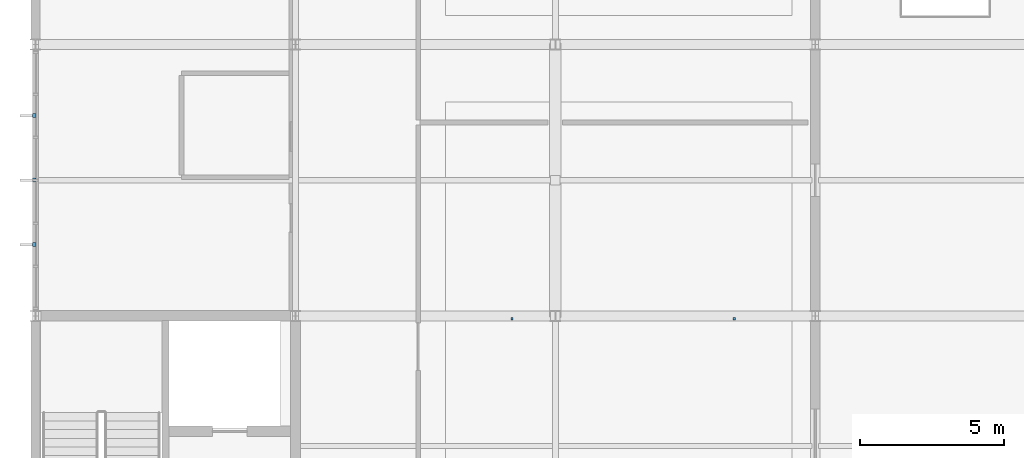
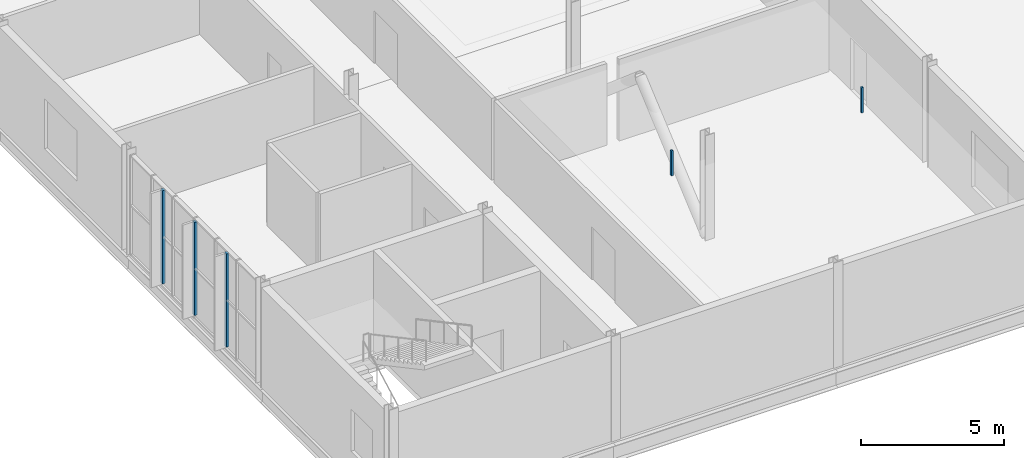
# One storey, part 46 of 53: 5 discrete accessories.
"""IFC4 building model written with IfcOpenShell, lengths in metres."""

from ifc_helpers import new_model, si_unit, direction, frame, origin, origin_2d, place, context, subcontext, project, spatial, rectangle, extrude, material, type_object, element, save


model = new_model("IFC4")

# Units and contexts
model_context = context("Model", 3, precision=1e-05, world=origin(), true_north=direction((0.0, 1.0)))
body_context = subcontext(model_context, "Body", "Model", "MODEL_VIEW")
ifc_project = project(units=[si_unit("LENGTHUNIT", "METRE"), si_unit("AREAUNIT", "SQUARE_METRE"), si_unit("VOLUMEUNIT", "CUBIC_METRE"), si_unit("PLANEANGLEUNIT", "RADIAN"), si_unit("MASSUNIT", "GRAM", prefix="KILO")], contexts=[model_context])

# Site, building, storey
site_placement = place(None, origin())
site = spatial("IfcSite", under=ifc_project, at=site_placement, CompositionType="ELEMENT")
building_placement = place(site_placement, origin())
building = spatial("IfcBuilding", under=site, at=building_placement, Name="Cazmaro Siding Exhibition Halls", CompositionType="ELEMENT")
storey_placement = place(building_placement, frame((0.0, 0.0, 21.0)))
storey = spatial("IfcBuildingStorey", under=building, at=storey_placement, Name="L04", CompositionType="ELEMENT", Elevation=21.0)

# Discrete accessories
ifc_material_1 = material(Name="Steel ASTM A572 Grade 50", Category="steel")
discrete_accessory_type_1 = type_object("IfcDiscreteAccessoryType", Name="SBK-01", PredefinedType="BRACKET", material=ifc_material_1)
for number, where, z_axis, x_axis, name in (
    (1, (-0.0400390625, 66.06591796875, 0.14990234375), (0.0, 0.0, 1.0), (1.0, 0.0, 0.0), "Solar Fin Steel Support Bracket SBK-01 046"),
    (2, (-0.0400390625, 68.300048828125, 0.14990234375), (0.0, 0.0, 1.0), (1.0, 0.0, 0.0), "Solar Fin Steel Support Bracket SBK-01 047"),
    (3, (-0.0400390625, 70.534912109375, 0.14990234375), (0.0, 0.0, 1.0), (1.0, 0.0, 0.0), "Solar Fin Steel Support Bracket SBK-01 048"),
):
    element("IfcDiscreteAccessory", number, at=place(storey_placement, frame(where, z_axis=z_axis, x_axis=x_axis)), inside=storey, type_object=discrete_accessory_type_1, Name=name, PredefinedType="BRACKET", context=body_context, shape_type="SweptSolid", body=[
        extrude(rectangle(XDim=0.1201171875, YDim=0.139892578125, at=origin_2d()), origin(), (0.0, 0.0, 1.0), 3.989990234375),
    ])
ifc_material_2 = material(Name="Steel ASTM A572 Grade 50", Category="steel")
discrete_accessory_type_2 = type_object("IfcDiscreteAccessoryType", Name="SBK-02", PredefinedType="BRACKET", material=ifc_material_2)
for number, where, z_axis, x_axis, name in (
    (4, (16.5, 63.5, 3.219970703125), (0.0, 0.0, 1.0), (1.0, 0.0, 0.0), "Ceiling Cloud Hanger Bracket SBK-02 017"),
    (5, (24.199951171875, 63.5, 3.219970703125), (0.0, 0.0, 1.0), (1.0, 0.0, 0.0), "Ceiling Cloud Hanger Bracket SBK-02 018"),
):
    element("IfcDiscreteAccessory", number, at=place(storey_placement, frame(where, z_axis=z_axis, x_axis=x_axis)), inside=storey, type_object=discrete_accessory_type_2, Name=name, PredefinedType="BRACKET", context=body_context, shape_type="SweptSolid", body=[
        extrude(rectangle(XDim=0.080078125, YDim=0.080078125, at=origin_2d()), origin(), (0.0, 0.0, 1.0), 1.080078125),
    ])

save(model, "model.ifc")
